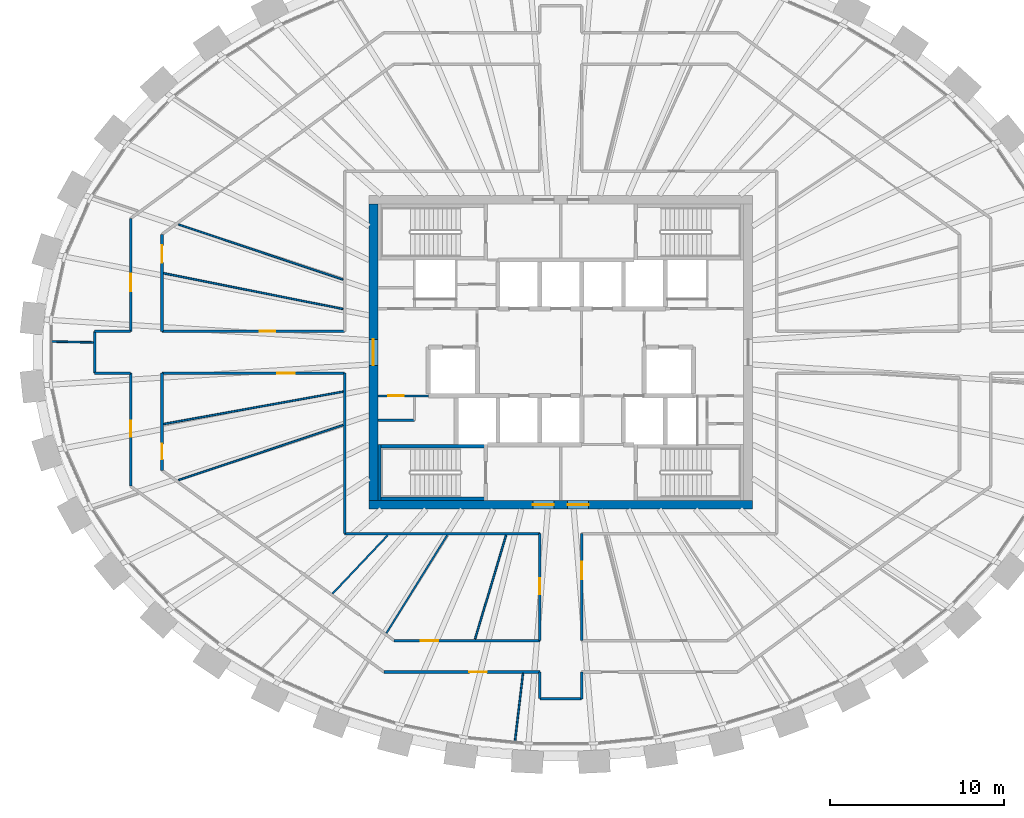
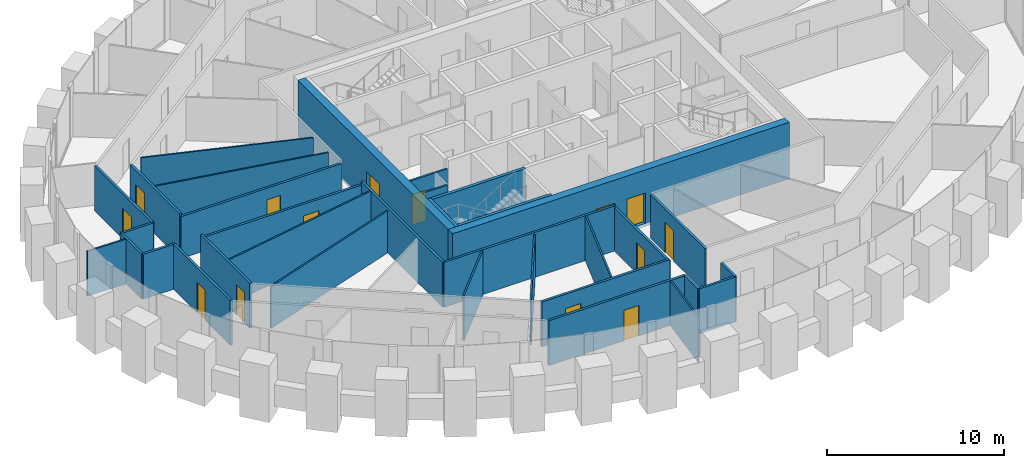
# One storey, part 6 of 11: 34 walls, 14 doors, 14 openings.
"""IFC4 building model written with IfcOpenShell, lengths in metres."""

from ifc_helpers import new_model, si_unit, direction, frame, frame_2d, origin, place, context, subcontext, project, spatial, rectangle, extrude, source, transform, mapped, material, layer, layer_set, type_object, element, fill, save


model = new_model("IFC4")

# Units and contexts
model_context = context("Model", 3, precision=1e-05, world=origin(), true_north=direction((0.0, 1.0)))
body_context = subcontext(model_context, "Body", "Model", "MODEL_VIEW")
ifc_project = project(units=[si_unit("LENGTHUNIT", "METRE"), si_unit("AREAUNIT", "SQUARE_METRE"), si_unit("VOLUMEUNIT", "CUBIC_METRE"), si_unit("PLANEANGLEUNIT", "RADIAN"), si_unit("MASSUNIT", "GRAM", prefix="KILO")], contexts=[model_context])

# Site, building, storey
site_placement = place(None, origin())
site = spatial("IfcSite", under=ifc_project, at=site_placement, CompositionType="ELEMENT")
building_placement = place(site_placement, origin())
building = spatial("IfcBuilding", under=site, at=building_placement, Name="Embergate Tower", CompositionType="ELEMENT")
storey_placement = place(building_placement, frame((0.0, 0.0, 305.199951171875)))
storey = spatial("IfcBuildingStorey", under=building, at=storey_placement, Name="L71", CompositionType="ELEMENT", Elevation=305.199951171875)

# Wall, openings, doors
ifc_material_1 = material(Name="Concrete C50", Category="concrete")
ifc_layer_1 = layer(ifc_material_1, 0.5)
ifc_layer_set_1 = layer_set([ifc_layer_1], Name="Concrete C50")
wall_type_1 = type_object("IfcWallType", Name="Core outer wall C50 500", PredefinedType="SHEAR", material=ifc_layer_set_1)
shared_shape_1 = source(origin(), body_context, "Body", "SweptSolid", [
    extrude(rectangle(XDim=22.0, YDim=0.5, at=frame_2d((11.0, 0.0))), origin(), (0.0, 0.0, 1.0), 3.89990234375),
])
wall_1_placement = place(storey_placement, frame((-11.0, -8.75, -0.199951171875), z_axis=(0.0, 0.0, 1.0), x_axis=(1.0, 0.0, 0.0)))
wall_1 = element("IfcWall", 1, at=wall_1_placement, inside=storey, type_object=wall_type_1, Name="CW-L71-S", PredefinedType="SHEAR", context=body_context, shape_type="MappedRepresentation", body=[
    mapped(shared_shape_1, transform((0.0, 0.0, 0.0))),
])
shared_shape_2 = source(origin(), body_context, "Body", "SweptSolid", [
    extrude(rectangle(XDim=1.199951171875, YDim=2.10009765625, at=frame_2d((0.60009765625, 1.050048828125))), frame((0.0, 0.260009765625, 0.0), z_axis=(0.0, -1.0, 0.0), x_axis=(1.0, 0.0, 0.0)), (0.0, 0.0, 1.0), 0.52001953125),
])
opening_1_placement = place(wall_1_placement, frame((9.39990234375, 0.0, 0.199951171875)))
opening_1 = element("IfcOpeningElement", 2, at=opening_1_placement, cuts=wall_1, Name="Opening IF-1", PredefinedType="OPENING", context=body_context, shape_type="MappedRepresentation", body=[
    mapped(shared_shape_2, transform((0.0, 0.0, 0.0))),
])
opening_2_placement = place(wall_1_placement, frame((11.39990234375, 0.0, 0.199951171875)))
opening_2 = element("IfcOpeningElement", 3, at=opening_2_placement, cuts=wall_1, Name="Opening IF-1", PredefinedType="OPENING", context=body_context, shape_type="MappedRepresentation", body=[
    mapped(shared_shape_2, transform((0.0, 0.0, 0.0))),
])
ifc_material_2 = material(Name="Escape fire door 1200")
door_type_1 = type_object("IfcDoorType", Name="Escape fire door 1200", OperationType="SINGLE_SWING_LEFT", PredefinedType="DOOR", material=ifc_material_2)
shared_shape_3 = source(origin(), body_context, "Body", "SweptSolid", [
    extrude(rectangle(XDim=1.199951171875, YDim=2.10009765625, at=frame_2d((0.60009765625, 1.050048828125))), frame((0.0, 0.02490234375, 0.0), z_axis=(0.0, -1.0, 0.0), x_axis=(1.0, 0.0, 0.0)), (0.0, 0.0, 1.0), 0.050048828125),
])
door_1_placement = place(opening_1_placement, origin())
door_1 = element("IfcDoor", 4, at=door_1_placement, inside=storey, type_object=door_type_1, Name="IF-1 door", OperationType="SINGLE_SWING_LEFT", OverallHeight=2.10009765625, OverallWidth=1.199951171875, PredefinedType="DOOR", context=body_context, shape_type="MappedRepresentation", body=[
    mapped(shared_shape_3, transform((0.0, 0.0, 0.0))),
])
fill(opening_1, door_1)
door_2_placement = place(opening_2_placement, origin())
door_2 = element("IfcDoor", 5, at=door_2_placement, inside=storey, type_object=door_type_1, Name="IF-1 door", OperationType="SINGLE_SWING_LEFT", OverallHeight=2.10009765625, OverallWidth=1.199951171875, PredefinedType="DOOR", context=body_context, shape_type="MappedRepresentation", body=[
    mapped(shared_shape_3, transform((0.0, 0.0, 0.0))),
])
fill(opening_2, door_2)

# Wall, opening, door
shared_shape_4 = source(origin(), body_context, "Body", "SweptSolid", [
    extrude(rectangle(XDim=17.0, YDim=0.5, at=frame_2d((8.5, 0.0))), origin(), (0.0, 0.0, 1.0), 3.89990234375),
])
wall_2_placement = place(storey_placement, frame((-10.75, -8.5, -0.199951171875), z_axis=(0.0, 0.0, 1.0), x_axis=(0.0, 1.0, 0.0)))
wall_2 = element("IfcWall", 6, at=wall_2_placement, inside=storey, type_object=wall_type_1, Name="CW-L71-W", PredefinedType="SHEAR", context=body_context, shape_type="MappedRepresentation", body=[
    mapped(shared_shape_4, transform((0.0, 0.0, 0.0))),
])
shared_shape_5 = source(origin(), body_context, "Body", "SweptSolid", [
    extrude(rectangle(XDim=1.5, YDim=2.10009765625, at=frame_2d((0.75, 1.050048828125))), frame((0.0, 0.260009765625, 0.0), z_axis=(0.0, -1.0, 0.0), x_axis=(1.0, 0.0, 0.0)), (0.0, 0.0, 1.0), 0.52001953125),
])
opening_3_placement = place(wall_2_placement, frame((7.75, 0.0, 0.199951171875)))
opening_3 = element("IfcOpeningElement", 7, at=opening_3_placement, cuts=wall_2, Name="Opening IF-3", PredefinedType="OPENING", context=body_context, shape_type="MappedRepresentation", body=[
    mapped(shared_shape_5, transform((0.0, 0.0, 0.0))),
])
ifc_material_3 = material(Name="Lobby fire door pair 1500")
door_type_2 = type_object("IfcDoorType", Name="Lobby fire door pair 1500", OperationType="DOUBLE_DOOR_SINGLE_SWING", PredefinedType="DOOR", material=ifc_material_3)
shared_shape_6 = source(origin(), body_context, "Body", "SweptSolid", [
    extrude(rectangle(XDim=1.5, YDim=2.10009765625, at=frame_2d((0.75, 1.050048828125))), frame((0.0, 0.02490234375, 0.0), z_axis=(0.0, -1.0, 0.0), x_axis=(1.0, 0.0, 0.0)), (0.0, 0.0, 1.0), 0.050048828125),
])
door_3_placement = place(opening_3_placement, origin())
door_3 = element("IfcDoor", 8, at=door_3_placement, inside=storey, type_object=door_type_2, Name="IF-3 door", OperationType="DOUBLE_DOOR_SINGLE_SWING", OverallHeight=2.10009765625, OverallWidth=1.5, PredefinedType="DOOR", context=body_context, shape_type="MappedRepresentation", body=[
    mapped(shared_shape_6, transform((0.0, 0.0, 0.0))),
])
fill(opening_3, door_3)

# Walls
ifc_layer_2 = layer(ifc_material_1, 0.199951171875)
ifc_layer_set_2 = layer_set([ifc_layer_2], Name="Concrete C50")
wall_type_2 = type_object("IfcWallType", Name="Stair enclosure wall reinforced concrete 250", PredefinedType="SHEAR", material=ifc_layer_set_2)
shared_shape_7 = source(origin(), body_context, "Body", "SweptSolid", [
    extrude(rectangle(XDim=6.300048828125, YDim=0.199951171875, at=frame_2d((3.14990234375, 0.0))), origin(), (0.0, 0.0, 1.0), 3.699951171875),
])
wall_3_placement = place(storey_placement, frame((-10.5, -5.39990234375, 0.0), z_axis=(0.0, 0.0, 1.0), x_axis=(1.0, 0.0, 0.0)))
element("IfcWall", 9, at=wall_3_placement, inside=storey, type_object=wall_type_2, Name="SE-1 wall", PredefinedType="SHEAR", context=body_context, shape_type="MappedRepresentation", body=[
    mapped(shared_shape_7, transform((0.0, 0.0, 0.0))),
])
shared_shape_8 = source(origin(), body_context, "Body", "SweptSolid", [
    extrude(rectangle(XDim=3.199951171875, YDim=0.199951171875, at=frame_2d((1.60009765625, 0.0))), origin(), (0.0, 0.0, 1.0), 3.699951171875),
])
wall_4_placement = place(storey_placement, frame((-10.39990234375, -5.300048828125, 0.0), z_axis=(0.0, 0.0, 1.0), x_axis=(0.0, -1.0, 0.0)))
element("IfcWall", 10, at=wall_4_placement, inside=storey, type_object=wall_type_2, Name="SE-1 wall", PredefinedType="SHEAR", context=body_context, shape_type="MappedRepresentation", body=[
    mapped(shared_shape_8, transform((0.0, 0.0, 0.0))),
])
shared_shape_9 = source(origin(), body_context, "Body", "SweptSolid", [
    extrude(rectangle(XDim=6.298095703125, YDim=0.199951171875, at=frame_2d((3.14892578125, 0.0))), origin(), (0.0, 0.0, 1.0), 3.699951171875),
])
wall_5_placement = place(storey_placement, frame((-10.5, -8.39990234375, 0.0), z_axis=(0.0, 0.0, 1.0), x_axis=(1.0, 0.0, 0.0)))
element("IfcWall", 11, at=wall_5_placement, inside=storey, type_object=wall_type_2, Name="SE-1 wall", PredefinedType="SHEAR", context=body_context, shape_type="MappedRepresentation", body=[
    mapped(shared_shape_9, transform((0.0, 0.0, 0.0))),
])
ifc_material_4 = material(Name="Corridor wall dry-lined 150")
ifc_layer_3 = layer(ifc_material_4, 0.14990234375)
ifc_layer_set_3 = layer_set([ifc_layer_3], Name="Corridor wall dry-lined 150")
wall_type_3 = type_object("IfcWallType", Name="Corridor wall dry-lined 150", PredefinedType="PARTITIONING", material=ifc_layer_set_3)
shared_shape_10 = source(origin(), body_context, "Body", "SweptSolid", [
    extrude(rectangle(XDim=9.199951171875, YDim=0.14990234375, at=frame_2d((4.60009765625, 0.0))), origin(), (0.0, 0.0, 1.0), 3.10009765625),
])
wall_6_placement = place(storey_placement, frame((-12.39990234375, -1.199951171875, 0.0), z_axis=(0.0, 0.0, 1.0), x_axis=(0.0, -1.0, 0.0)))
element("IfcWall", 12, at=wall_6_placement, inside=storey, type_object=wall_type_3, Name="IP-2 wall", PredefinedType="PARTITIONING", context=body_context, shape_type="MappedRepresentation", body=[
    mapped(shared_shape_10, transform((0.0, 0.0, 0.0))),
])
shared_shape_11 = source(origin(), body_context, "Body", "SweptSolid", [
    extrude(rectangle(XDim=11.199951171875, YDim=0.14990234375, at=frame_2d((5.60009765625, 0.0))), origin(), (0.0, 0.0, 1.0), 3.10009765625),
])
wall_7_placement = place(storey_placement, frame((-12.39990234375, -10.39990234375, 0.0), z_axis=(0.0, 0.0, 1.0), x_axis=(1.0, 0.0, 0.0)))
element("IfcWall", 13, at=wall_7_placement, inside=storey, type_object=wall_type_3, Name="IP-2 wall", PredefinedType="PARTITIONING", context=body_context, shape_type="MappedRepresentation", body=[
    mapped(shared_shape_11, transform((0.0, 0.0, 0.0))),
])
shared_shape_12 = source(origin(), body_context, "Body", "SweptSolid", [
    extrude(rectangle(XDim=2.39990234375, YDim=0.14990234375, at=frame_2d((1.199951171875, 0.0))), origin(), (0.0, 0.0, 1.0), 3.10009765625),
])
for number, where, z_axis, x_axis, name in (
    (14, (1.199951171875, -19.8779296875, 0.0), (0.0, 0.0, 1.0), (-1.0, 0.0, 0.0), "IP-2 wall"),
    (15, (-26.740966796875, 1.199951171875, 0.0), (0.0, 0.0, 1.0), (0.0, -1.0, 0.0), "IP-2 wall"),
):
    element("IfcWall", number, at=place(storey_placement, frame(where, z_axis=z_axis, x_axis=x_axis)), inside=storey, type_object=wall_type_3, Name=name, PredefinedType="PARTITIONING", context=body_context, shape_type="MappedRepresentation", body=[
        mapped(shared_shape_12, transform((0.0, 0.0, 0.0))),
    ])

# Wall, opening, door
ifc_material_5 = material(Name="Core partition blockwork 120")
ifc_layer_4 = layer(ifc_material_5, 0.1201171875)
ifc_layer_set_4 = layer_set([ifc_layer_4], Name="Core partition blockwork 120")
wall_type_4 = type_object("IfcWallType", Name="Core partition blockwork 120", PredefinedType="PARTITIONING", material=ifc_layer_set_4)
shared_shape_13 = source(origin(), body_context, "Body", "SweptSolid", [
    extrude(rectangle(XDim=2.89794921875, YDim=0.1201171875, at=frame_2d((1.448974609375, 0.0))), origin(), (0.0, 0.0, 1.0), 3.10009765625),
])
wall_8_placement = place(storey_placement, frame((-10.5, -2.5, 0.0), z_axis=(0.0, 0.0, 1.0), x_axis=(1.0, 0.0, 0.0)))
wall_8 = element("IfcWall", 16, at=wall_8_placement, inside=storey, type_object=wall_type_4, Name="IP-3 wall", PredefinedType="PARTITIONING", context=body_context, shape_type="MappedRepresentation", body=[
    mapped(shared_shape_13, transform((0.0, 0.0, 0.0))),
])
shared_shape_14 = source(origin(), body_context, "Body", "SweptSolid", [
    extrude(rectangle(XDim=0.89990234375, YDim=2.10009765625, at=frame_2d((0.449951171875, 1.050048828125))), frame((0.0, 0.070068359375, 0.0), z_axis=(0.0, -1.0, 0.0), x_axis=(1.0, 0.0, 0.0)), (0.0, 0.0, 1.0), 0.14013671875),
])
opening_4_placement = place(wall_8_placement, frame((0.60009765625, 0.0, 0.0)))
opening_4 = element("IfcOpeningElement", 17, at=opening_4_placement, cuts=wall_8, Name="Opening ID-1", PredefinedType="OPENING", context=body_context, shape_type="MappedRepresentation", body=[
    mapped(shared_shape_14, transform((0.0, 0.0, 0.0))),
])
ifc_material_6 = material(Name="Interior door 900")
door_type_3 = type_object("IfcDoorType", Name="Interior door 900", OperationType="SINGLE_SWING_LEFT", PredefinedType="DOOR", material=ifc_material_6)
shared_shape_15 = source(origin(), body_context, "Body", "SweptSolid", [
    extrude(rectangle(XDim=0.89990234375, YDim=2.10009765625, at=frame_2d((0.449951171875, 1.050048828125))), frame((0.0, 0.02490234375, 0.0), z_axis=(0.0, -1.0, 0.0), x_axis=(1.0, 0.0, 0.0)), (0.0, 0.0, 1.0), 0.050048828125),
])
door_4_placement = place(opening_4_placement, origin())
door_4 = element("IfcDoor", 18, at=door_4_placement, inside=storey, type_object=door_type_3, Name="ID-1 door", OperationType="SINGLE_SWING_LEFT", OverallHeight=2.10009765625, OverallWidth=0.89990234375, PredefinedType="DOOR", context=body_context, shape_type="MappedRepresentation", body=[
    mapped(shared_shape_15, transform((0.0, 0.0, 0.0))),
])
fill(opening_4, door_4)

# Wall
shared_shape_16 = source(origin(), body_context, "Body", "SweptSolid", [
    extrude(rectangle(XDim=2.10009765625, YDim=0.1201171875, at=frame_2d((1.050048828125, 0.0))), origin(), (0.0, 0.0, 1.0), 3.10009765625),
])
wall_9_placement = place(storey_placement, frame((-10.5, -3.89990234375, 0.0), z_axis=(0.0, 0.0, 1.0), x_axis=(1.0, 0.0, 0.0)))
element("IfcWall", 19, at=wall_9_placement, inside=storey, type_object=wall_type_4, Name="IP-3 wall", PredefinedType="PARTITIONING", context=body_context, shape_type="MappedRepresentation", body=[
    mapped(shared_shape_16, transform((0.0, 0.0, 0.0))),
])

# Wall, opening, door
shared_shape_17 = source(origin(), body_context, "Body", "SweptSolid", [
    extrude(rectangle(XDim=8.945068359375, YDim=0.14990234375, at=frame_2d((4.47265625, 0.0))), origin(), (0.0, 0.0, 1.0), 3.10009765625),
])
wall_10_placement = place(storey_placement, frame((-1.199951171875, -18.341064453125, 0.0), z_axis=(0.0, 0.0, 1.0), x_axis=(-1.0, 0.0, 0.0)))
wall_10 = element("IfcWall", 20, at=wall_10_placement, inside=storey, type_object=wall_type_3, Name="IP-2 wall", PredefinedType="PARTITIONING", context=body_context, shape_type="MappedRepresentation", body=[
    mapped(shared_shape_17, transform((0.0, 0.0, 0.0))),
])
shared_shape_18 = source(origin(), body_context, "Body", "SweptSolid", [
    extrude(rectangle(XDim=1.0, YDim=2.10009765625, at=frame_2d((0.5, 1.050048828125))), frame((0.0, 0.0849609375, 0.0), z_axis=(0.0, -1.0, 0.0), x_axis=(1.0, 0.0, 0.0)), (0.0, 0.0, 1.0), 0.169921875),
])
opening_5_placement = place(wall_10_placement, frame((3.0458984375, 0.0, 0.0)))
opening_5 = element("IfcOpeningElement", 21, at=opening_5_placement, cuts=wall_10, Name="Opening ID-2", PredefinedType="OPENING", context=body_context, shape_type="MappedRepresentation", body=[
    mapped(shared_shape_18, transform((0.0, 0.0, 0.0))),
])
ifc_material_7 = material(Name="Interior door 1000")
door_type_4 = type_object("IfcDoorType", Name="Interior door 1000", OperationType="SINGLE_SWING_LEFT", PredefinedType="DOOR", material=ifc_material_7)
shared_shape_19 = source(origin(), body_context, "Body", "SweptSolid", [
    extrude(rectangle(XDim=1.0, YDim=2.10009765625, at=frame_2d((0.5, 1.050048828125))), frame((0.0, 0.02490234375, 0.0), z_axis=(0.0, -1.0, 0.0), x_axis=(1.0, 0.0, 0.0)), (0.0, 0.0, 1.0), 0.050048828125),
])
door_5_placement = place(opening_5_placement, origin())
door_5 = element("IfcDoor", 22, at=door_5_placement, inside=storey, type_object=door_type_4, Name="ID-2 door", OperationType="SINGLE_SWING_RIGHT", OverallHeight=2.10009765625, OverallWidth=1.0, PredefinedType="DOOR", context=body_context, shape_type="MappedRepresentation", body=[
    mapped(shared_shape_19, transform((0.0, 0.0, 0.0))),
])
fill(opening_5, door_5)

# Walls
shared_shape_20 = source(origin(), body_context, "Body", "SweptSolid", [
    extrude(rectangle(XDim=1.536865234375, YDim=0.14990234375, at=frame_2d((0.7685546875, 0.0))), origin(), (0.0, 0.0, 1.0), 3.10009765625),
])
for number, where, z_axis, x_axis, name in (
    (23, (1.199951171875, -18.341064453125, 0.0), (0.0, 0.0, 1.0), (0.0, -1.0, 0.0), "IP-2 wall"),
    (24, (-1.199951171875, -19.8779296875, 0.0), (0.0, 0.0, 1.0), (0.0, 1.0, 0.0), "IP-2 wall"),
):
    element("IfcWall", number, at=place(storey_placement, frame(where, z_axis=z_axis, x_axis=x_axis)), inside=storey, type_object=wall_type_3, Name=name, PredefinedType="PARTITIONING", context=body_context, shape_type="MappedRepresentation", body=[
        mapped(shared_shape_20, transform((0.0, 0.0, 0.0))),
    ])

# Wall, opening, door
shared_shape_21 = source(origin(), body_context, "Body", "SweptSolid", [
    extrude(rectangle(XDim=8.35595703125, YDim=0.14990234375, at=frame_2d((4.177978515625, 0.0))), origin(), (0.0, 0.0, 1.0), 3.10009765625),
])
wall_11_placement = place(storey_placement, frame((-1.199951171875, -16.541015625, 0.0), z_axis=(0.0, 0.0, 1.0), x_axis=(-1.0, 0.0, 0.0)))
wall_11 = element("IfcWall", 25, at=wall_11_placement, inside=storey, type_object=wall_type_3, Name="IP-2 wall", PredefinedType="PARTITIONING", context=body_context, shape_type="MappedRepresentation", body=[
    mapped(shared_shape_21, transform((0.0, 0.0, 0.0))),
])
opening_6_placement = place(wall_11_placement, frame((5.819091796875, 0.0, 0.0)))
opening_6 = element("IfcOpeningElement", 26, at=opening_6_placement, cuts=wall_11, Name="Opening ID-2", PredefinedType="OPENING", context=body_context, shape_type="MappedRepresentation", body=[
    mapped(shared_shape_18, transform((0.0, 0.0, 0.0))),
])
door_6_placement = place(opening_6_placement, origin())
door_6 = element("IfcDoor", 27, at=door_6_placement, inside=storey, type_object=door_type_4, Name="ID-2 door", OperationType="SINGLE_SWING_LEFT", OverallHeight=2.10009765625, OverallWidth=1.0, PredefinedType="DOOR", context=body_context, shape_type="MappedRepresentation", body=[
    mapped(shared_shape_19, transform((0.0, 0.0, 0.0))),
])
fill(opening_6, door_6)

shared_shape_22 = source(origin(), body_context, "Body", "SweptSolid", [
    extrude(rectangle(XDim=6.14111328125, YDim=0.14990234375, at=frame_2d((3.070556640625, 0.0))), origin(), (0.0, 0.0, 1.0), 3.0),
])
wall_12_placement = place(storey_placement, frame((-1.199951171875, -16.541015625, 0.0), z_axis=(0.0, 0.0, 1.0), x_axis=(0.0, 1.0, 0.0)))
wall_12 = element("IfcWall", 28, at=wall_12_placement, inside=storey, type_object=wall_type_3, Name="IP-2 wall", PredefinedType="PARTITIONING", context=body_context, shape_type="MappedRepresentation", body=[
    mapped(shared_shape_22, transform((0.0, 0.0, 0.0))),
])
shared_shape_23 = source(origin(), body_context, "Body", "SweptSolid", [
    extrude(rectangle(XDim=0.89990234375, YDim=2.10009765625, at=frame_2d((0.449951171875, 1.050048828125))), frame((0.0, 0.0849609375, 0.0), z_axis=(0.0, -1.0, 0.0), x_axis=(1.0, 0.0, 0.0)), (0.0, 0.0, 1.0), 0.169921875),
])
opening_7_placement = place(wall_12_placement, frame((2.6669921875, 0.0, 0.0)))
opening_7 = element("IfcOpeningElement", 29, at=opening_7_placement, cuts=wall_12, Name="Opening IF-1c", PredefinedType="OPENING", context=body_context, shape_type="MappedRepresentation", body=[
    mapped(shared_shape_23, transform((0.0, 0.0, 0.0))),
])
ifc_material_8 = material(Name="Escape fire door 900")
door_type_5 = type_object("IfcDoorType", Name="Escape fire door 900", OperationType="SINGLE_SWING_LEFT", PredefinedType="DOOR", material=ifc_material_8)
door_7_placement = place(opening_7_placement, origin())
door_7 = element("IfcDoor", 30, at=door_7_placement, inside=storey, type_object=door_type_5, Name="IF-1 door", OperationType="SINGLE_SWING_LEFT", OverallHeight=2.10009765625, OverallWidth=0.89990234375, PredefinedType="DOOR", context=body_context, shape_type="MappedRepresentation", body=[
    mapped(shared_shape_15, transform((0.0, 0.0, 0.0))),
])
fill(opening_7, door_7)

wall_13_placement = place(storey_placement, frame((1.199951171875, -10.39990234375, 0.0), z_axis=(0.0, 0.0, 1.0), x_axis=(0.0, -1.0, 0.0)))
wall_13 = element("IfcWall", 31, at=wall_13_placement, inside=storey, type_object=wall_type_3, Name="IP-2 wall", PredefinedType="PARTITIONING", context=body_context, shape_type="MappedRepresentation", body=[
    mapped(shared_shape_22, transform((0.0, 0.0, 0.0))),
])
opening_8_placement = place(wall_13_placement, frame((1.616943359375, 0.0, 0.0)))
opening_8 = element("IfcOpeningElement", 32, at=opening_8_placement, cuts=wall_13, Name="Opening ID-2", PredefinedType="OPENING", context=body_context, shape_type="MappedRepresentation", body=[
    mapped(shared_shape_18, transform((0.0, 0.0, 0.0))),
])
door_8_placement = place(opening_8_placement, origin())
door_8 = element("IfcDoor", 33, at=door_8_placement, inside=storey, type_object=door_type_4, Name="ID-2 door", OperationType="SINGLE_SWING_LEFT", OverallHeight=2.10009765625, OverallWidth=1.0, PredefinedType="DOOR", context=body_context, shape_type="MappedRepresentation", body=[
    mapped(shared_shape_19, transform((0.0, 0.0, 0.0))),
])
fill(opening_8, door_8)

shared_shape_24 = source(origin(), body_context, "Body", "SweptSolid", [
    extrude(rectangle(XDim=6.47998046875, YDim=0.14990234375, at=frame_2d((3.239990234375, 0.0))), origin(), (0.0, 0.0, 1.0), 3.10009765625),
])
wall_14_placement = place(storey_placement, frame((-24.681884765625, 7.679931640625, 0.0), z_axis=(0.0, 0.0, 1.0), x_axis=(0.0, -1.0, 0.0)))
wall_14 = element("IfcWall", 34, at=wall_14_placement, inside=storey, type_object=wall_type_3, Name="IP-2 wall", PredefinedType="PARTITIONING", context=body_context, shape_type="MappedRepresentation", body=[
    mapped(shared_shape_24, transform((0.0, 0.0, 0.0))),
])
opening_9_placement = place(wall_14_placement, frame((3.17919921875, 0.0, 0.0)))
opening_9 = element("IfcOpeningElement", 35, at=opening_9_placement, cuts=wall_14, Name="Opening ID-2", PredefinedType="OPENING", context=body_context, shape_type="MappedRepresentation", body=[
    mapped(shared_shape_18, transform((0.0, 0.0, 0.0))),
])
door_9_placement = place(opening_9_placement, origin())
door_9 = element("IfcDoor", 36, at=door_9_placement, inside=storey, type_object=door_type_4, Name="ID-2 door", OperationType="SINGLE_SWING_RIGHT", OverallHeight=2.10009765625, OverallWidth=1.0, PredefinedType="DOOR", context=body_context, shape_type="MappedRepresentation", body=[
    mapped(shared_shape_19, transform((0.0, 0.0, 0.0))),
])
fill(opening_9, door_9)

wall_15_placement = place(storey_placement, frame((-24.681884765625, -7.679931640625, 0.0), z_axis=(0.0, 0.0, 1.0), x_axis=(0.0, 1.0, 0.0)))
wall_15 = element("IfcWall", 37, at=wall_15_placement, inside=storey, type_object=wall_type_3, Name="IP-2 wall", PredefinedType="PARTITIONING", context=body_context, shape_type="MappedRepresentation", body=[
    mapped(shared_shape_24, transform((0.0, 0.0, 0.0))),
])
opening_10_placement = place(wall_15_placement, frame((2.84033203125, 0.0, 0.0)))
opening_10 = element("IfcOpeningElement", 38, at=opening_10_placement, cuts=wall_15, Name="Opening IF-1c", PredefinedType="OPENING", context=body_context, shape_type="MappedRepresentation", body=[
    mapped(shared_shape_23, transform((0.0, 0.0, 0.0))),
])
door_10_placement = place(opening_10_placement, origin())
door_10 = element("IfcDoor", 39, at=door_10_placement, inside=storey, type_object=door_type_5, Name="IF-1 door", OperationType="SINGLE_SWING_RIGHT", OverallHeight=2.10009765625, OverallWidth=0.89990234375, PredefinedType="DOOR", context=body_context, shape_type="MappedRepresentation", body=[
    mapped(shared_shape_15, transform((0.0, 0.0, 0.0))),
])
fill(opening_10, door_10)

# Walls
shared_shape_25 = source(origin(), body_context, "Body", "SweptSolid", [
    extrude(rectangle(XDim=2.05908203125, YDim=0.14990234375, at=frame_2d((1.029541015625, 0.0))), origin(), (0.0, 0.0, 1.0), 3.10009765625),
])
for number, where, z_axis, x_axis, name in (
    (40, (-24.681884765625, 1.199951171875, 0.0), (0.0, 0.0, 1.0), (-1.0, 0.0, 0.0), "IP-2 wall"),
    (41, (-24.681884765625, -1.199951171875, 0.0), (0.0, 0.0, 1.0), (-1.0, 0.0, 0.0), "IP-2 wall"),
):
    element("IfcWall", number, at=place(storey_placement, frame(where, z_axis=z_axis, x_axis=x_axis)), inside=storey, type_object=wall_type_3, Name=name, PredefinedType="PARTITIONING", context=body_context, shape_type="MappedRepresentation", body=[
        mapped(shared_shape_25, transform((0.0, 0.0, 0.0))),
    ])

# Wall, opening, door
shared_shape_26 = source(origin(), body_context, "Body", "SweptSolid", [
    extrude(rectangle(XDim=10.482177734375, YDim=0.14990234375, at=frame_2d((5.2412109375, 0.0))), origin(), (0.0, 0.0, 1.0), 2.900146484375),
])
wall_16_placement = place(storey_placement, frame((-12.39990234375, -1.199951171875, 0.0), z_axis=(0.0, 0.0, 1.0), x_axis=(-1.0, 0.0, 0.0)))
wall_16 = element("IfcWall", 42, at=wall_16_placement, inside=storey, type_object=wall_type_3, Name="IP-2 wall", PredefinedType="PARTITIONING", context=body_context, shape_type="MappedRepresentation", body=[
    mapped(shared_shape_26, transform((0.0, 0.0, 0.0))),
])
opening_11_placement = place(wall_16_placement, frame((2.8759765625, 0.0, 0.0)))
opening_11 = element("IfcOpeningElement", 43, at=opening_11_placement, cuts=wall_16, Name="Opening ID-2", PredefinedType="OPENING", context=body_context, shape_type="MappedRepresentation", body=[
    mapped(shared_shape_18, transform((0.0, 0.0, 0.0))),
])
door_11_placement = place(opening_11_placement, origin())
door_11 = element("IfcDoor", 44, at=door_11_placement, inside=storey, type_object=door_type_4, Name="ID-2 door", OperationType="SINGLE_SWING_RIGHT", OverallHeight=2.10009765625, OverallWidth=1.0, PredefinedType="DOOR", context=body_context, shape_type="MappedRepresentation", body=[
    mapped(shared_shape_19, transform((0.0, 0.0, 0.0))),
])
fill(opening_11, door_11)

wall_17_placement = place(storey_placement, frame((-22.882080078125, 1.199951171875, 0.0), z_axis=(0.0, 0.0, 1.0), x_axis=(1.0, 0.0, 0.0)))
wall_17 = element("IfcWall", 45, at=wall_17_placement, inside=storey, type_object=wall_type_3, Name="IP-2 wall", PredefinedType="PARTITIONING", context=body_context, shape_type="MappedRepresentation", body=[
    mapped(shared_shape_26, transform((0.0, 0.0, 0.0))),
])
opening_12_placement = place(wall_17_placement, frame((5.599609375, 0.0, 0.0)))
opening_12 = element("IfcOpeningElement", 46, at=opening_12_placement, cuts=wall_17, Name="Opening IF-1c", PredefinedType="OPENING", context=body_context, shape_type="MappedRepresentation", body=[
    mapped(shared_shape_23, transform((0.0, 0.0, 0.0))),
])
door_12_placement = place(opening_12_placement, origin())
door_12 = element("IfcDoor", 47, at=door_12_placement, inside=storey, type_object=door_type_5, Name="IF-1 door", OperationType="SINGLE_SWING_LEFT", OverallHeight=2.10009765625, OverallWidth=0.89990234375, PredefinedType="DOOR", context=body_context, shape_type="MappedRepresentation", body=[
    mapped(shared_shape_15, transform((0.0, 0.0, 0.0))),
])
fill(opening_12, door_12)

shared_shape_27 = source(origin(), body_context, "Body", "SweptSolid", [
    extrude(rectangle(XDim=5.568115234375, YDim=0.14990234375, at=frame_2d((2.7841796875, 0.0))), origin(), (0.0, 0.0, 1.0), 3.10009765625),
])
wall_18_placement = place(storey_placement, frame((-22.882080078125, -1.199951171875, 0.0), z_axis=(0.0, 0.0, 1.0), x_axis=(0.0, -1.0, 0.0)))
wall_18 = element("IfcWall", 48, at=wall_18_placement, inside=storey, type_object=wall_type_3, Name="IP-2 wall", PredefinedType="PARTITIONING", context=body_context, shape_type="MappedRepresentation", body=[
    mapped(shared_shape_27, transform((0.0, 0.0, 0.0))),
])
opening_13_placement = place(wall_18_placement, frame((4.049072265625, 0.0, 0.0)))
opening_13 = element("IfcOpeningElement", 49, at=opening_13_placement, cuts=wall_18, Name="Opening IF-1c", PredefinedType="OPENING", context=body_context, shape_type="MappedRepresentation", body=[
    mapped(shared_shape_23, transform((0.0, 0.0, 0.0))),
])
door_13_placement = place(opening_13_placement, origin())
door_13 = element("IfcDoor", 50, at=door_13_placement, inside=storey, type_object=door_type_5, Name="IF-1 door", OperationType="SINGLE_SWING_LEFT", OverallHeight=2.10009765625, OverallWidth=0.89990234375, PredefinedType="DOOR", context=body_context, shape_type="MappedRepresentation", body=[
    mapped(shared_shape_15, transform((0.0, 0.0, 0.0))),
])
fill(opening_13, door_13)

wall_19_placement = place(storey_placement, frame((-22.882080078125, 6.76806640625, 0.0), z_axis=(0.0, 0.0, 1.0), x_axis=(0.0, -1.0, 0.0)))
wall_19 = element("IfcWall", 51, at=wall_19_placement, inside=storey, type_object=wall_type_3, Name="IP-2 wall", PredefinedType="PARTITIONING", context=body_context, shape_type="MappedRepresentation", body=[
    mapped(shared_shape_27, transform((0.0, 0.0, 0.0))),
])
opening_14_placement = place(wall_19_placement, frame((0.626220703125, 0.0, 0.0)))
opening_14 = element("IfcOpeningElement", 52, at=opening_14_placement, cuts=wall_19, Name="Opening ID-2", PredefinedType="OPENING", context=body_context, shape_type="MappedRepresentation", body=[
    mapped(shared_shape_18, transform((0.0, 0.0, 0.0))),
])
door_14_placement = place(opening_14_placement, origin())
door_14 = element("IfcDoor", 53, at=door_14_placement, inside=storey, type_object=door_type_4, Name="ID-2 door", OperationType="SINGLE_SWING_LEFT", OverallHeight=2.10009765625, OverallWidth=1.0, PredefinedType="DOOR", context=body_context, shape_type="MappedRepresentation", body=[
    mapped(shared_shape_19, transform((0.0, 0.0, 0.0))),
])
fill(opening_14, door_14)

# Walls
ifc_material_9 = material(Name="Partition dry-lined 100")
ifc_layer_5 = layer(ifc_material_9, 0.10009765625)
ifc_layer_set_5 = layer_set([ifc_layer_5], Name="Partition dry-lined 100")
wall_type_5 = type_object("IfcWallType", Name="Partition dry-lined 100", PredefinedType="PARTITIONING", material=ifc_layer_set_5)
shared_shape_28 = source(origin(), body_context, "Body", "SweptSolid", [
    extrude(rectangle(XDim=9.956298828125, YDim=0.10009765625, at=frame_2d((4.97802734375, 0.0))), origin(), (0.0, 0.0, 1.0), 2.900146484375),
])
for number, where, z_axis, x_axis, name in (
    (54, (-12.490966796875, -4.177001953125, 0.0), (0.0, 0.0, 1.0), (-0.9483640382, -0.317183938826, 0.0), "IP-1 wall"),
    (55, (-12.490966796875, 4.177001953125, 0.0), (0.0, 0.0, 1.0), (-0.9483640382, 0.317183938826, 0.0), "IP-1 wall"),
):
    element("IfcWall", number, at=place(storey_placement, frame(where, z_axis=z_axis, x_axis=x_axis)), inside=storey, type_object=wall_type_5, Name=name, PredefinedType="PARTITIONING", context=body_context, shape_type="MappedRepresentation", body=[
        mapped(shared_shape_28, transform((0.0, 0.0, 0.0))),
    ])
shared_shape_29 = source(origin(), body_context, "Body", "SweptSolid", [
    extrude(rectangle(XDim=4.59375, YDim=0.10009765625, at=frame_2d((2.296875, 0.0))), origin(), (0.0, 0.0, 1.0), 3.10009765625),
])
wall_20_placement = place(storey_placement, frame((-9.93603515625, -10.509033203125, 0.0), z_axis=(0.0, 0.0, 1.0), x_axis=(-0.687032301419, -0.726626875919, 0.0)))
element("IfcWall", 56, at=wall_20_placement, inside=storey, type_object=wall_type_5, Name="IP-1 wall", PredefinedType="PARTITIONING", context=body_context, shape_type="MappedRepresentation", body=[
    mapped(shared_shape_29, transform((0.0, 0.0, 0.0))),
])
shared_shape_30 = source(origin(), body_context, "Body", "SweptSolid", [
    extrude(rectangle(XDim=6.612060546875, YDim=0.10009765625, at=frame_2d((3.30615234375, 0.0))), origin(), (0.0, 0.0, 1.0), 3.0),
])
wall_21_placement = place(storey_placement, frame((-6.51806640625, -10.5009765625, 0.0), z_axis=(0.0, 0.0, 1.0), x_axis=(-0.527344479033, -0.849651575902, 0.0)))
element("IfcWall", 57, at=wall_21_placement, inside=storey, type_object=wall_type_5, Name="IP-1 wall", PredefinedType="PARTITIONING", context=body_context, shape_type="MappedRepresentation", body=[
    mapped(shared_shape_30, transform((0.0, 0.0, 0.0))),
])
shared_shape_31 = source(origin(), body_context, "Body", "SweptSolid", [
    extrude(rectangle(XDim=3.9873046875, YDim=0.10009765625, at=frame_2d((1.99365234375, 0.0))), origin(), (0.0, 0.0, 1.0), 3.10009765625),
])
wall_22_placement = place(storey_placement, frame((-2.1669921875, -18.422119140625, 0.0), z_axis=(0.0, 0.0, 1.0), x_axis=(-0.116887430909, -0.9931451699, 0.0)))
element("IfcWall", 58, at=wall_22_placement, inside=storey, type_object=wall_type_5, Name="IP-1 wall", PredefinedType="PARTITIONING", context=body_context, shape_type="MappedRepresentation", body=[
    mapped(shared_shape_31, transform((0.0, 0.0, 0.0))),
])
shared_shape_32 = source(origin(), body_context, "Body", "SweptSolid", [
    extrude(rectangle(XDim=6.223388671875, YDim=0.10009765625, at=frame_2d((3.11181640625, 0.0))), origin(), (0.0, 0.0, 1.0), 3.10009765625),
])
wall_23_placement = place(storey_placement, frame((-3.134033203125, -10.489013671875, 0.0), z_axis=(0.0, 0.0, 1.0), x_axis=(-0.286332807649, -0.958130222498, 0.0)))
element("IfcWall", 59, at=wall_23_placement, inside=storey, type_object=wall_type_5, Name="IP-1 wall", PredefinedType="PARTITIONING", context=body_context, shape_type="MappedRepresentation", body=[
    mapped(shared_shape_32, transform((0.0, 0.0, 0.0))),
])
shared_shape_33 = source(origin(), body_context, "Body", "SweptSolid", [
    extrude(rectangle(XDim=2.513671875, YDim=0.10009765625, at=frame_2d((1.2568359375, 0.0))), origin(), (0.0, 0.0, 1.0), 3.10009765625),
])
wall_24_placement = place(storey_placement, frame((-26.81591796875, 0.569091796875, 0.0), z_axis=(0.0, 0.0, 1.0), x_axis=(-0.999777885745, 0.021075558695, 0.0)))
element("IfcWall", 60, at=wall_24_placement, inside=storey, type_object=wall_type_5, Name="IP-1 wall", PredefinedType="PARTITIONING", context=body_context, shape_type="MappedRepresentation", body=[
    mapped(shared_shape_33, transform((0.0, 0.0, 0.0))),
])
shared_shape_34 = source(origin(), body_context, "Body", "SweptSolid", [
    extrude(rectangle(XDim=10.48095703125, YDim=0.10009765625, at=frame_2d((5.240478515625, 0.0))), origin(), (0.0, 0.0, 1.0), 3.10009765625),
])
wall_25_placement = place(storey_placement, frame((-12.48388671875, -2.2548828125, 0.0), z_axis=(0.0, 0.0, 1.0), x_axis=(-0.984091651062, -0.177661538634, 0.0)))
element("IfcWall", 61, at=wall_25_placement, inside=storey, type_object=wall_type_5, Name="IP-1 wall", PredefinedType="PARTITIONING", context=body_context, shape_type="MappedRepresentation", body=[
    mapped(shared_shape_34, transform((0.0, 0.0, 0.0))),
])
shared_shape_35 = source(origin(), body_context, "Body", "SweptSolid", [
    extrude(rectangle(XDim=10.51416015625, YDim=0.10009765625, at=frame_2d((5.257080078125, 0.0))), origin(), (0.0, 0.0, 1.0), 2.900146484375),
])
wall_26_placement = place(storey_placement, frame((-12.485107421875, 2.485107421875, 0.0), z_axis=(0.0, 0.0, 1.0), x_axis=(-0.980770440584, 0.195164912001, 0.0)))
element("IfcWall", 62, at=wall_26_placement, inside=storey, type_object=wall_type_5, Name="IP-1 wall", PredefinedType="PARTITIONING", context=body_context, shape_type="MappedRepresentation", body=[
    mapped(shared_shape_35, transform((0.0, 0.0, 0.0))),
])

save(model, "model.ifc")
